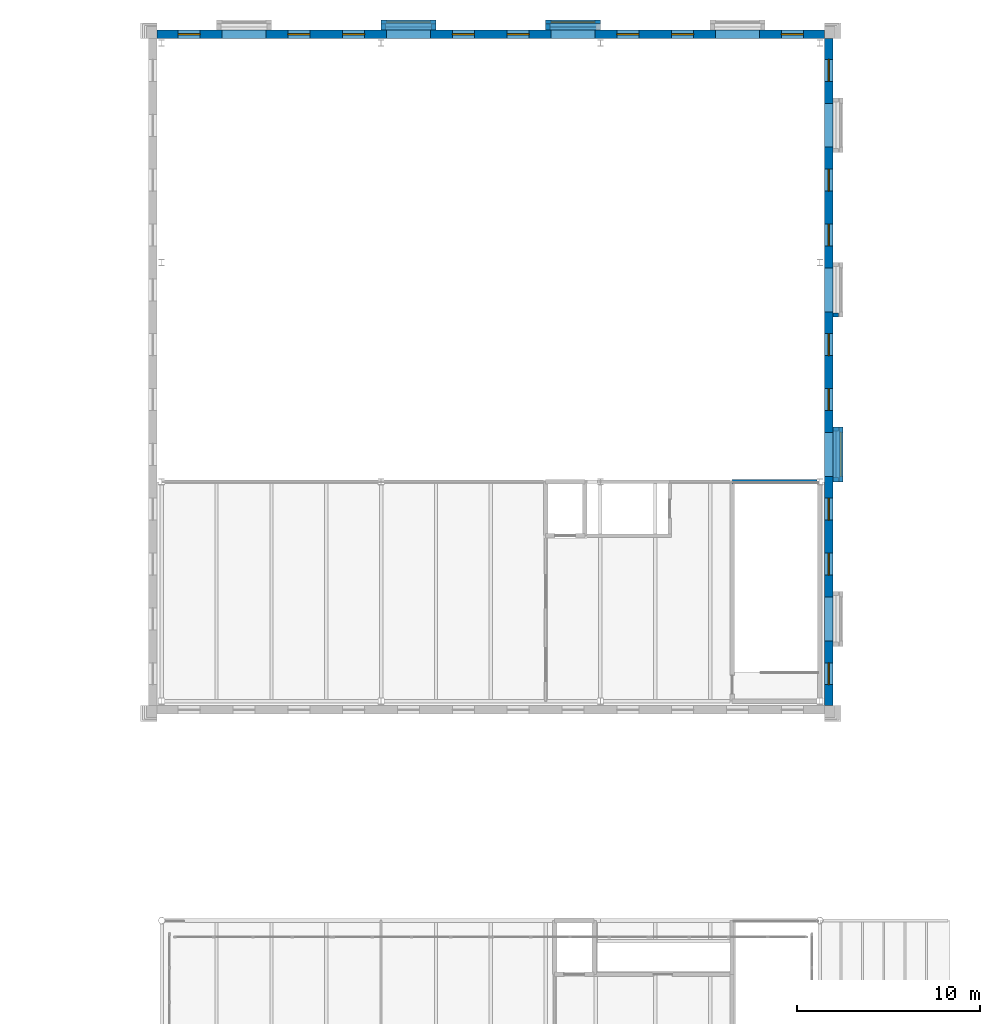
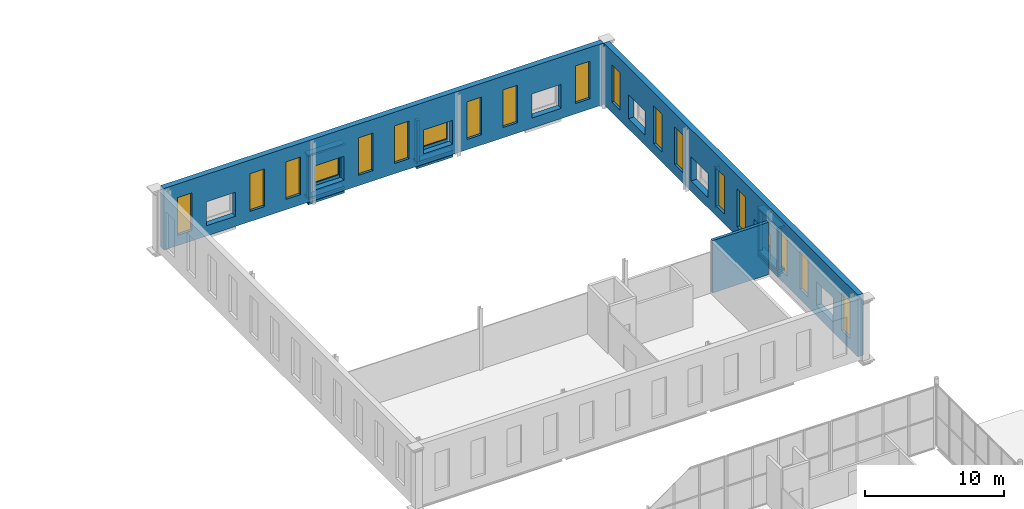
# One storey, part 118 of 170: 23 walls, 19 windows, 27 openings.
"""IFC4 building model written with IfcOpenShell, lengths in metres."""

from ifc_helpers import new_model, si_unit, direction, frame, frame_2d, origin, place, context, subcontext, project, spatial, rectangle, extrude, material, layer, layer_set, type_object, element, fill, save


model = new_model("IFC4")

# Units and contexts
model_context = context("Model", 3, precision=1e-05, world=origin(), true_north=direction((0.0, 1.0)))
body_context = subcontext(model_context, "Body", "Model", "MODEL_VIEW")
ifc_project = project(units=[si_unit("LENGTHUNIT", "METRE"), si_unit("AREAUNIT", "SQUARE_METRE"), si_unit("VOLUMEUNIT", "CUBIC_METRE"), si_unit("PLANEANGLEUNIT", "RADIAN"), si_unit("MASSUNIT", "GRAM", prefix="KILO")], contexts=[model_context])

# Site, building, storey
site_placement = place(None, origin())
site = spatial("IfcSite", under=ifc_project, at=site_placement, CompositionType="ELEMENT")
building_placement = place(site_placement, origin())
building = spatial("IfcBuilding", under=site, at=building_placement, Name="Ravi Spectrum Wholesale Market", CompositionType="ELEMENT")
storey_placement = place(building_placement, frame((0.0, 0.0, 5.39990234375)))
storey = spatial("IfcBuildingStorey", under=building, at=storey_placement, Name="L01", CompositionType="ELEMENT", Elevation=5.39990234375)

# Wall, openings, windows
ifc_material_1 = material(Name="Clinker brickwork", Category="masonry")
ifc_layer_1 = layer(ifc_material_1, 0.4599609375)
ifc_layer_set_1 = layer_set([ifc_layer_1], Name="Clinker brickwork")
wall_type_1 = type_object("IfcWallType", Name="Brick 460 pier wall", PredefinedType="SOLIDWALL", material=ifc_layer_set_1)
wall_1_placement = place(storey_placement, frame((198.47998046875, 197.75, 0.0), z_axis=(0.0, 0.0, 1.0), x_axis=(0.0, 1.0, 0.0)))
wall_1 = element("IfcWall", 1, at=wall_1_placement, inside=storey, type_object=wall_type_1, Name="AU-WL-L01-034", PredefinedType="SOLIDWALL", context=body_context, shape_type="SweptSolid", body=[
    extrude(rectangle(XDim=36.5, YDim=0.4599609375, at=frame_2d((18.25, 0.0))), origin(), (0.0, 0.0, 1.0), 5.400146484375),
])
opening_1_placement = place(wall_1_placement, frame((1.14990234375, 0.0, 0.89990234375)))
opening_1 = element("IfcOpeningElement", 2, at=opening_1_placement, cuts=wall_1, Name="Opening W2445", PredefinedType="OPENING", context=body_context, shape_type="SweptSolid", body=[
    extrude(rectangle(XDim=1.199951171875, YDim=3.300048828125, at=frame_2d((0.60009765625, 1.64990234375))), frame((0.0, 0.239990234375, 0.0), z_axis=(0.0, -1.0, 0.0), x_axis=(1.0, 0.0, 0.0)), (0.0, 0.0, 1.0), 0.47998046875),
])
opening_2_placement = place(wall_1_placement, frame((3.550048828125, 0.0, 0.89990234375)))
element("IfcOpeningElement", 3, at=opening_2_placement, cuts=wall_1, Name="Opening AU-OP-L01-001", PredefinedType="OPENING", context=body_context, shape_type="SweptSolid", body=[
    extrude(rectangle(XDim=2.39990234375, YDim=2.10009765625, at=frame_2d((1.199951171875, 1.050048828125))), frame((0.0, 0.239990234375, 0.0), z_axis=(0.0, -1.0, 0.0), x_axis=(1.0, 0.0, 0.0)), (0.0, 0.0, 1.0), 0.47998046875),
])
opening_3_placement = place(wall_1_placement, frame((7.14990234375, 0.0, 0.89990234375)))
opening_3 = element("IfcOpeningElement", 4, at=opening_3_placement, cuts=wall_1, Name="Opening W2447", PredefinedType="OPENING", context=body_context, shape_type="SweptSolid", body=[
    extrude(rectangle(XDim=1.199951171875, YDim=3.300048828125, at=frame_2d((0.60009765625, 1.64990234375))), frame((0.0, 0.239990234375, 0.0), z_axis=(0.0, -1.0, 0.0), x_axis=(1.0, 0.0, 0.0)), (0.0, 0.0, 1.0), 0.47998046875),
])
opening_4_placement = place(wall_1_placement, frame((10.14990234375, 0.0, 0.89990234375)))
opening_4 = element("IfcOpeningElement", 5, at=opening_4_placement, cuts=wall_1, Name="Opening W2448", PredefinedType="OPENING", context=body_context, shape_type="SweptSolid", body=[
    extrude(rectangle(XDim=1.199951171875, YDim=3.300048828125, at=frame_2d((0.60009765625, 1.64990234375))), frame((0.0, 0.239990234375, 0.0), z_axis=(0.0, -1.0, 0.0), x_axis=(1.0, 0.0, 0.0)), (0.0, 0.0, 1.0), 0.47998046875),
])
opening_5_placement = place(wall_1_placement, frame((12.550048828125, 0.0, 0.89990234375)))
element("IfcOpeningElement", 6, at=opening_5_placement, cuts=wall_1, Name="Opening AU-OP-L01-002", PredefinedType="OPENING", context=body_context, shape_type="SweptSolid", body=[
    extrude(rectangle(XDim=2.39990234375, YDim=2.10009765625, at=frame_2d((1.199951171875, 1.050048828125))), frame((0.0, 0.239990234375, 0.0), z_axis=(0.0, -1.0, 0.0), x_axis=(1.0, 0.0, 0.0)), (0.0, 0.0, 1.0), 0.47998046875),
])
opening_6_placement = place(wall_1_placement, frame((16.14990234375, 0.0, 0.89990234375)))
opening_6 = element("IfcOpeningElement", 7, at=opening_6_placement, cuts=wall_1, Name="Opening W2450", PredefinedType="OPENING", context=body_context, shape_type="SweptSolid", body=[
    extrude(rectangle(XDim=1.199951171875, YDim=3.300048828125, at=frame_2d((0.60009765625, 1.64990234375))), frame((0.0, 0.239990234375, 0.0), z_axis=(0.0, -1.0, 0.0), x_axis=(1.0, 0.0, 0.0)), (0.0, 0.0, 1.0), 0.47998046875),
])
opening_7_placement = place(wall_1_placement, frame((19.14990234375, 0.0, 0.89990234375)))
opening_7 = element("IfcOpeningElement", 8, at=opening_7_placement, cuts=wall_1, Name="Opening W2451", PredefinedType="OPENING", context=body_context, shape_type="SweptSolid", body=[
    extrude(rectangle(XDim=1.199951171875, YDim=3.300048828125, at=frame_2d((0.60009765625, 1.64990234375))), frame((0.0, 0.239990234375, 0.0), z_axis=(0.0, -1.0, 0.0), x_axis=(1.0, 0.0, 0.0)), (0.0, 0.0, 1.0), 0.47998046875),
])
opening_8_placement = place(wall_1_placement, frame((21.550048828125, 0.0, 0.89990234375)))
element("IfcOpeningElement", 9, at=opening_8_placement, cuts=wall_1, Name="Opening AU-OP-L01-003", PredefinedType="OPENING", context=body_context, shape_type="SweptSolid", body=[
    extrude(rectangle(XDim=2.39990234375, YDim=2.10009765625, at=frame_2d((1.199951171875, 1.050048828125))), frame((0.0, 0.239990234375, 0.0), z_axis=(0.0, -1.0, 0.0), x_axis=(1.0, 0.0, 0.0)), (0.0, 0.0, 1.0), 0.47998046875),
])
opening_9_placement = place(wall_1_placement, frame((25.14990234375, 0.0, 0.89990234375)))
opening_9 = element("IfcOpeningElement", 10, at=opening_9_placement, cuts=wall_1, Name="Opening W2453", PredefinedType="OPENING", context=body_context, shape_type="SweptSolid", body=[
    extrude(rectangle(XDim=1.199951171875, YDim=3.300048828125, at=frame_2d((0.60009765625, 1.64990234375))), frame((0.0, 0.239990234375, 0.0), z_axis=(0.0, -1.0, 0.0), x_axis=(1.0, 0.0, 0.0)), (0.0, 0.0, 1.0), 0.47998046875),
])
opening_10_placement = place(wall_1_placement, frame((28.14990234375, 0.0, 0.89990234375)))
opening_10 = element("IfcOpeningElement", 11, at=opening_10_placement, cuts=wall_1, Name="Opening W2454", PredefinedType="OPENING", context=body_context, shape_type="SweptSolid", body=[
    extrude(rectangle(XDim=1.199951171875, YDim=3.300048828125, at=frame_2d((0.60009765625, 1.64990234375))), frame((0.0, 0.239990234375, 0.0), z_axis=(0.0, -1.0, 0.0), x_axis=(1.0, 0.0, 0.0)), (0.0, 0.0, 1.0), 0.47998046875),
])
opening_11_placement = place(wall_1_placement, frame((30.550048828125, 0.0, 0.89990234375)))
element("IfcOpeningElement", 12, at=opening_11_placement, cuts=wall_1, Name="Opening AU-OP-L01-004", PredefinedType="OPENING", context=body_context, shape_type="SweptSolid", body=[
    extrude(rectangle(XDim=2.39990234375, YDim=2.10009765625, at=frame_2d((1.199951171875, 1.050048828125))), frame((0.0, 0.239990234375, 0.0), z_axis=(0.0, -1.0, 0.0), x_axis=(1.0, 0.0, 0.0)), (0.0, 0.0, 1.0), 0.47998046875),
])
opening_12_placement = place(wall_1_placement, frame((34.14990234375, 0.0, 0.89990234375)))
opening_12 = element("IfcOpeningElement", 13, at=opening_12_placement, cuts=wall_1, Name="Opening W2456", PredefinedType="OPENING", context=body_context, shape_type="SweptSolid", body=[
    extrude(rectangle(XDim=1.199951171875, YDim=3.300048828125, at=frame_2d((0.60009765625, 1.64990234375))), frame((0.0, 0.239990234375, 0.0), z_axis=(0.0, -1.0, 0.0), x_axis=(1.0, 0.0, 0.0)), (0.0, 0.0, 1.0), 0.47998046875),
])
ifc_material_2 = material(Name="Steel window frame", Category="steel")
window_type_1 = type_object("IfcWindowType", Name="Tall pier window 1200 x 3300", PartitioningType="SINGLE_PANEL", PredefinedType="WINDOW", material=ifc_material_2)
window_1_placement = place(opening_1_placement, origin())
window_1 = element("IfcWindow", 14, at=window_1_placement, inside=storey, type_object=window_type_1, Name="Window W2445", OverallHeight=3.300048828125, OverallWidth=1.199951171875, PartitioningType="SINGLE_PANEL", PredefinedType="WINDOW", context=body_context, shape_type="SweptSolid", body=[
    extrude(rectangle(XDim=1.199951171875, YDim=3.300048828125, at=frame_2d((0.60009765625, 1.64990234375))), frame((0.0, 0.030029296875, 0.0), z_axis=(0.0, -1.0, 0.0), x_axis=(1.0, 0.0, 0.0)), (0.0, 0.0, 1.0), 0.06005859375),
])
fill(opening_1, window_1)
window_2_placement = place(opening_3_placement, origin())
window_2 = element("IfcWindow", 15, at=window_2_placement, inside=storey, type_object=window_type_1, Name="Window W2447", OverallHeight=3.300048828125, OverallWidth=1.199951171875, PartitioningType="SINGLE_PANEL", PredefinedType="WINDOW", context=body_context, shape_type="SweptSolid", body=[
    extrude(rectangle(XDim=1.199951171875, YDim=3.300048828125, at=frame_2d((0.60009765625, 1.64990234375))), frame((0.0, 0.030029296875, 0.0), z_axis=(0.0, -1.0, 0.0), x_axis=(1.0, 0.0, 0.0)), (0.0, 0.0, 1.0), 0.06005859375),
])
fill(opening_3, window_2)
window_3_placement = place(opening_4_placement, origin())
window_3 = element("IfcWindow", 16, at=window_3_placement, inside=storey, type_object=window_type_1, Name="Window W2448", OverallHeight=3.300048828125, OverallWidth=1.199951171875, PartitioningType="SINGLE_PANEL", PredefinedType="WINDOW", context=body_context, shape_type="SweptSolid", body=[
    extrude(rectangle(XDim=1.199951171875, YDim=3.300048828125, at=frame_2d((0.60009765625, 1.64990234375))), frame((0.0, 0.030029296875, 0.0), z_axis=(0.0, -1.0, 0.0), x_axis=(1.0, 0.0, 0.0)), (0.0, 0.0, 1.0), 0.06005859375),
])
fill(opening_4, window_3)
window_4_placement = place(opening_6_placement, origin())
window_4 = element("IfcWindow", 17, at=window_4_placement, inside=storey, type_object=window_type_1, Name="Window W2450", OverallHeight=3.300048828125, OverallWidth=1.199951171875, PartitioningType="SINGLE_PANEL", PredefinedType="WINDOW", context=body_context, shape_type="SweptSolid", body=[
    extrude(rectangle(XDim=1.199951171875, YDim=3.300048828125, at=frame_2d((0.60009765625, 1.64990234375))), frame((0.0, 0.030029296875, 0.0), z_axis=(0.0, -1.0, 0.0), x_axis=(1.0, 0.0, 0.0)), (0.0, 0.0, 1.0), 0.06005859375),
])
fill(opening_6, window_4)
window_5_placement = place(opening_7_placement, origin())
window_5 = element("IfcWindow", 18, at=window_5_placement, inside=storey, type_object=window_type_1, Name="Window W2451", OverallHeight=3.300048828125, OverallWidth=1.199951171875, PartitioningType="SINGLE_PANEL", PredefinedType="WINDOW", context=body_context, shape_type="SweptSolid", body=[
    extrude(rectangle(XDim=1.199951171875, YDim=3.300048828125, at=frame_2d((0.60009765625, 1.64990234375))), frame((0.0, 0.030029296875, 0.0), z_axis=(0.0, -1.0, 0.0), x_axis=(1.0, 0.0, 0.0)), (0.0, 0.0, 1.0), 0.06005859375),
])
fill(opening_7, window_5)
window_6_placement = place(opening_9_placement, origin())
window_6 = element("IfcWindow", 19, at=window_6_placement, inside=storey, type_object=window_type_1, Name="Window W2453", OverallHeight=3.300048828125, OverallWidth=1.199951171875, PartitioningType="SINGLE_PANEL", PredefinedType="WINDOW", context=body_context, shape_type="SweptSolid", body=[
    extrude(rectangle(XDim=1.199951171875, YDim=3.300048828125, at=frame_2d((0.60009765625, 1.64990234375))), frame((0.0, 0.030029296875, 0.0), z_axis=(0.0, -1.0, 0.0), x_axis=(1.0, 0.0, 0.0)), (0.0, 0.0, 1.0), 0.06005859375),
])
fill(opening_9, window_6)
window_7_placement = place(opening_10_placement, origin())
window_7 = element("IfcWindow", 20, at=window_7_placement, inside=storey, type_object=window_type_1, Name="Window W2454", OverallHeight=3.300048828125, OverallWidth=1.199951171875, PartitioningType="SINGLE_PANEL", PredefinedType="WINDOW", context=body_context, shape_type="SweptSolid", body=[
    extrude(rectangle(XDim=1.199951171875, YDim=3.300048828125, at=frame_2d((0.60009765625, 1.64990234375))), frame((0.0, 0.030029296875, 0.0), z_axis=(0.0, -1.0, 0.0), x_axis=(1.0, 0.0, 0.0)), (0.0, 0.0, 1.0), 0.06005859375),
])
fill(opening_10, window_7)
window_8_placement = place(opening_12_placement, origin())
window_8 = element("IfcWindow", 21, at=window_8_placement, inside=storey, type_object=window_type_1, Name="Window W2456", OverallHeight=3.300048828125, OverallWidth=1.199951171875, PartitioningType="SINGLE_PANEL", PredefinedType="WINDOW", context=body_context, shape_type="SweptSolid", body=[
    extrude(rectangle(XDim=1.199951171875, YDim=3.300048828125, at=frame_2d((0.60009765625, 1.64990234375))), frame((0.0, 0.030029296875, 0.0), z_axis=(0.0, -1.0, 0.0), x_axis=(1.0, 0.0, 0.0)), (0.0, 0.0, 1.0), 0.06005859375),
])
fill(opening_12, window_8)

wall_2_placement = place(storey_placement, frame((198.25, 234.47998046875, 0.0), z_axis=(0.0, 0.0, 1.0), x_axis=(-1.0, 0.0, 0.0)))
wall_2 = element("IfcWall", 22, at=wall_2_placement, inside=storey, type_object=wall_type_1, Name="AU-WL-L01-063", PredefinedType="SOLIDWALL", context=body_context, shape_type="SweptSolid", body=[
    extrude(rectangle(XDim=36.5, YDim=0.4599609375, at=frame_2d((18.25, 0.0))), origin(), (0.0, 0.0, 1.0), 5.400146484375),
])
opening_13_placement = place(wall_2_placement, frame((1.14990234375, 0.0, 0.89990234375)))
opening_13 = element("IfcOpeningElement", 23, at=opening_13_placement, cuts=wall_2, Name="Opening W2457", PredefinedType="OPENING", context=body_context, shape_type="SweptSolid", body=[
    extrude(rectangle(XDim=1.199951171875, YDim=3.300048828125, at=frame_2d((0.60009765625, 1.64990234375))), frame((0.0, 0.239990234375, 0.0), z_axis=(0.0, -1.0, 0.0), x_axis=(1.0, 0.0, 0.0)), (0.0, 0.0, 1.0), 0.47998046875),
])
opening_14_placement = place(wall_2_placement, frame((3.550048828125, 0.0, 0.89990234375)))
element("IfcOpeningElement", 24, at=opening_14_placement, cuts=wall_2, Name="Opening AU-OP-L01-005", PredefinedType="OPENING", context=body_context, shape_type="SweptSolid", body=[
    extrude(rectangle(XDim=2.39990234375, YDim=2.10009765625, at=frame_2d((1.199951171875, 1.050048828125))), frame((0.0, 0.239990234375, 0.0), z_axis=(0.0, -1.0, 0.0), x_axis=(1.0, 0.0, 0.0)), (0.0, 0.0, 1.0), 0.47998046875),
])
opening_15_placement = place(wall_2_placement, frame((7.14990234375, 0.0, 0.89990234375)))
opening_15 = element("IfcOpeningElement", 25, at=opening_15_placement, cuts=wall_2, Name="Opening W2459", PredefinedType="OPENING", context=body_context, shape_type="SweptSolid", body=[
    extrude(rectangle(XDim=1.199951171875, YDim=3.300048828125, at=frame_2d((0.60009765625, 1.64990234375))), frame((0.0, 0.239990234375, 0.0), z_axis=(0.0, -1.0, 0.0), x_axis=(1.0, 0.0, 0.0)), (0.0, 0.0, 1.0), 0.47998046875),
])
opening_16_placement = place(wall_2_placement, frame((10.14990234375, 0.0, 0.89990234375)))
opening_16 = element("IfcOpeningElement", 26, at=opening_16_placement, cuts=wall_2, Name="Opening W2460", PredefinedType="OPENING", context=body_context, shape_type="SweptSolid", body=[
    extrude(rectangle(XDim=1.199951171875, YDim=3.300048828125, at=frame_2d((0.60009765625, 1.64990234375))), frame((0.0, 0.239990234375, 0.0), z_axis=(0.0, -1.0, 0.0), x_axis=(1.0, 0.0, 0.0)), (0.0, 0.0, 1.0), 0.47998046875),
])
opening_17_placement = place(wall_2_placement, frame((12.550048828125, 0.0, 0.89990234375)))
element("IfcOpeningElement", 27, at=opening_17_placement, cuts=wall_2, Name="Opening AU-OP-L01-006", PredefinedType="OPENING", context=body_context, shape_type="SweptSolid", body=[
    extrude(rectangle(XDim=2.39990234375, YDim=2.10009765625, at=frame_2d((1.199951171875, 1.050048828125))), frame((0.0, 0.239990234375, 0.0), z_axis=(0.0, -1.0, 0.0), x_axis=(1.0, 0.0, 0.0)), (0.0, 0.0, 1.0), 0.47998046875),
])
opening_18_placement = place(wall_2_placement, frame((16.14990234375, 0.0, 0.89990234375)))
opening_18 = element("IfcOpeningElement", 28, at=opening_18_placement, cuts=wall_2, Name="Opening W2462", PredefinedType="OPENING", context=body_context, shape_type="SweptSolid", body=[
    extrude(rectangle(XDim=1.199951171875, YDim=3.300048828125, at=frame_2d((0.60009765625, 1.64990234375))), frame((0.0, 0.239990234375, 0.0), z_axis=(0.0, -1.0, 0.0), x_axis=(1.0, 0.0, 0.0)), (0.0, 0.0, 1.0), 0.47998046875),
])
opening_19_placement = place(wall_2_placement, frame((19.14990234375, 0.0, 0.89990234375)))
opening_19 = element("IfcOpeningElement", 29, at=opening_19_placement, cuts=wall_2, Name="Opening W2463", PredefinedType="OPENING", context=body_context, shape_type="SweptSolid", body=[
    extrude(rectangle(XDim=1.199951171875, YDim=3.300048828125, at=frame_2d((0.60009765625, 1.64990234375))), frame((0.0, 0.239990234375, 0.0), z_axis=(0.0, -1.0, 0.0), x_axis=(1.0, 0.0, 0.0)), (0.0, 0.0, 1.0), 0.47998046875),
])
opening_20_placement = place(wall_2_placement, frame((21.550048828125, 0.0, 0.89990234375)))
element("IfcOpeningElement", 30, at=opening_20_placement, cuts=wall_2, Name="Opening AU-OP-L01-007", PredefinedType="OPENING", context=body_context, shape_type="SweptSolid", body=[
    extrude(rectangle(XDim=2.39990234375, YDim=2.10009765625, at=frame_2d((1.199951171875, 1.050048828125))), frame((0.0, 0.239990234375, 0.0), z_axis=(0.0, -1.0, 0.0), x_axis=(1.0, 0.0, 0.0)), (0.0, 0.0, 1.0), 0.47998046875),
])
opening_21_placement = place(wall_2_placement, frame((25.14990234375, 0.0, 0.89990234375)))
opening_21 = element("IfcOpeningElement", 31, at=opening_21_placement, cuts=wall_2, Name="Opening W2465", PredefinedType="OPENING", context=body_context, shape_type="SweptSolid", body=[
    extrude(rectangle(XDim=1.199951171875, YDim=3.300048828125, at=frame_2d((0.60009765625, 1.64990234375))), frame((0.0, 0.239990234375, 0.0), z_axis=(0.0, -1.0, 0.0), x_axis=(1.0, 0.0, 0.0)), (0.0, 0.0, 1.0), 0.47998046875),
])
opening_22_placement = place(wall_2_placement, frame((28.14990234375, 0.0, 0.89990234375)))
opening_22 = element("IfcOpeningElement", 32, at=opening_22_placement, cuts=wall_2, Name="Opening W2466", PredefinedType="OPENING", context=body_context, shape_type="SweptSolid", body=[
    extrude(rectangle(XDim=1.199951171875, YDim=3.300048828125, at=frame_2d((0.60009765625, 1.64990234375))), frame((0.0, 0.239990234375, 0.0), z_axis=(0.0, -1.0, 0.0), x_axis=(1.0, 0.0, 0.0)), (0.0, 0.0, 1.0), 0.47998046875),
])
opening_23_placement = place(wall_2_placement, frame((30.550048828125, 0.0, 0.89990234375)))
element("IfcOpeningElement", 33, at=opening_23_placement, cuts=wall_2, Name="Opening AU-OP-L01-008", PredefinedType="OPENING", context=body_context, shape_type="SweptSolid", body=[
    extrude(rectangle(XDim=2.39990234375, YDim=2.10009765625, at=frame_2d((1.199951171875, 1.050048828125))), frame((0.0, 0.239990234375, 0.0), z_axis=(0.0, -1.0, 0.0), x_axis=(1.0, 0.0, 0.0)), (0.0, 0.0, 1.0), 0.47998046875),
])
opening_24_placement = place(wall_2_placement, frame((34.14990234375, 0.0, 0.89990234375)))
opening_24 = element("IfcOpeningElement", 34, at=opening_24_placement, cuts=wall_2, Name="Opening W2468", PredefinedType="OPENING", context=body_context, shape_type="SweptSolid", body=[
    extrude(rectangle(XDim=1.199951171875, YDim=3.300048828125, at=frame_2d((0.60009765625, 1.64990234375))), frame((0.0, 0.239990234375, 0.0), z_axis=(0.0, -1.0, 0.0), x_axis=(1.0, 0.0, 0.0)), (0.0, 0.0, 1.0), 0.47998046875),
])
window_9_placement = place(opening_13_placement, origin())
window_9 = element("IfcWindow", 35, at=window_9_placement, inside=storey, type_object=window_type_1, Name="Window W2457", OverallHeight=3.300048828125, OverallWidth=1.199951171875, PartitioningType="SINGLE_PANEL", PredefinedType="WINDOW", context=body_context, shape_type="SweptSolid", body=[
    extrude(rectangle(XDim=1.199951171875, YDim=3.300048828125, at=frame_2d((0.60009765625, 1.64990234375))), frame((0.0, 0.030029296875, 0.0), z_axis=(0.0, -1.0, 0.0), x_axis=(1.0, 0.0, 0.0)), (0.0, 0.0, 1.0), 0.06005859375),
])
fill(opening_13, window_9)
window_10_placement = place(opening_15_placement, origin())
window_10 = element("IfcWindow", 36, at=window_10_placement, inside=storey, type_object=window_type_1, Name="Window W2459", OverallHeight=3.300048828125, OverallWidth=1.199951171875, PartitioningType="SINGLE_PANEL", PredefinedType="WINDOW", context=body_context, shape_type="SweptSolid", body=[
    extrude(rectangle(XDim=1.199951171875, YDim=3.300048828125, at=frame_2d((0.60009765625, 1.64990234375))), frame((0.0, 0.030029296875, 0.0), z_axis=(0.0, -1.0, 0.0), x_axis=(1.0, 0.0, 0.0)), (0.0, 0.0, 1.0), 0.06005859375),
])
fill(opening_15, window_10)
window_11_placement = place(opening_16_placement, origin())
window_11 = element("IfcWindow", 37, at=window_11_placement, inside=storey, type_object=window_type_1, Name="Window W2460", OverallHeight=3.300048828125, OverallWidth=1.199951171875, PartitioningType="SINGLE_PANEL", PredefinedType="WINDOW", context=body_context, shape_type="SweptSolid", body=[
    extrude(rectangle(XDim=1.199951171875, YDim=3.300048828125, at=frame_2d((0.60009765625, 1.64990234375))), frame((0.0, 0.030029296875, 0.0), z_axis=(0.0, -1.0, 0.0), x_axis=(1.0, 0.0, 0.0)), (0.0, 0.0, 1.0), 0.06005859375),
])
fill(opening_16, window_11)
window_12_placement = place(opening_18_placement, origin())
window_12 = element("IfcWindow", 38, at=window_12_placement, inside=storey, type_object=window_type_1, Name="Window W2462", OverallHeight=3.300048828125, OverallWidth=1.199951171875, PartitioningType="SINGLE_PANEL", PredefinedType="WINDOW", context=body_context, shape_type="SweptSolid", body=[
    extrude(rectangle(XDim=1.199951171875, YDim=3.300048828125, at=frame_2d((0.60009765625, 1.64990234375))), frame((0.0, 0.030029296875, 0.0), z_axis=(0.0, -1.0, 0.0), x_axis=(1.0, 0.0, 0.0)), (0.0, 0.0, 1.0), 0.06005859375),
])
fill(opening_18, window_12)
window_13_placement = place(opening_19_placement, origin())
window_13 = element("IfcWindow", 39, at=window_13_placement, inside=storey, type_object=window_type_1, Name="Window W2463", OverallHeight=3.300048828125, OverallWidth=1.199951171875, PartitioningType="SINGLE_PANEL", PredefinedType="WINDOW", context=body_context, shape_type="SweptSolid", body=[
    extrude(rectangle(XDim=1.199951171875, YDim=3.300048828125, at=frame_2d((0.60009765625, 1.64990234375))), frame((0.0, 0.030029296875, 0.0), z_axis=(0.0, -1.0, 0.0), x_axis=(1.0, 0.0, 0.0)), (0.0, 0.0, 1.0), 0.06005859375),
])
fill(opening_19, window_13)
window_14_placement = place(opening_21_placement, origin())
window_14 = element("IfcWindow", 40, at=window_14_placement, inside=storey, type_object=window_type_1, Name="Window W2465", OverallHeight=3.300048828125, OverallWidth=1.199951171875, PartitioningType="SINGLE_PANEL", PredefinedType="WINDOW", context=body_context, shape_type="SweptSolid", body=[
    extrude(rectangle(XDim=1.199951171875, YDim=3.300048828125, at=frame_2d((0.60009765625, 1.64990234375))), frame((0.0, 0.030029296875, 0.0), z_axis=(0.0, -1.0, 0.0), x_axis=(1.0, 0.0, 0.0)), (0.0, 0.0, 1.0), 0.06005859375),
])
fill(opening_21, window_14)
window_15_placement = place(opening_22_placement, origin())
window_15 = element("IfcWindow", 41, at=window_15_placement, inside=storey, type_object=window_type_1, Name="Window W2466", OverallHeight=3.300048828125, OverallWidth=1.199951171875, PartitioningType="SINGLE_PANEL", PredefinedType="WINDOW", context=body_context, shape_type="SweptSolid", body=[
    extrude(rectangle(XDim=1.199951171875, YDim=3.300048828125, at=frame_2d((0.60009765625, 1.64990234375))), frame((0.0, 0.030029296875, 0.0), z_axis=(0.0, -1.0, 0.0), x_axis=(1.0, 0.0, 0.0)), (0.0, 0.0, 1.0), 0.06005859375),
])
fill(opening_22, window_15)
window_16_placement = place(opening_24_placement, origin())
window_16 = element("IfcWindow", 42, at=window_16_placement, inside=storey, type_object=window_type_1, Name="Window W2468", OverallHeight=3.300048828125, OverallWidth=1.199951171875, PartitioningType="SINGLE_PANEL", PredefinedType="WINDOW", context=body_context, shape_type="SweptSolid", body=[
    extrude(rectangle(XDim=1.199951171875, YDim=3.300048828125, at=frame_2d((0.60009765625, 1.64990234375))), frame((0.0, 0.030029296875, 0.0), z_axis=(0.0, -1.0, 0.0), x_axis=(1.0, 0.0, 0.0)), (0.0, 0.0, 1.0), 0.06005859375),
])
fill(opening_24, window_16)

# Walls
ifc_material_3 = material(Name="Clinker brickwork", Category="masonry")
ifc_layer_2 = layer(ifc_material_3, 0.179931640625)
ifc_layer_set_2 = layer_set([ifc_layer_2], Name="Clinker brickwork")
wall_type_2 = type_object("IfcWallType", Name="Brick corbel block 180", PredefinedType="SOLIDWALL", material=ifc_layer_set_2)
for number, where, z_axis, x_axis, name in (
    (43, (198.800048828125, 210.0, -0.599853515625), (0.0, 0.0, 1.0), (0.0, 1.0, 0.0), "AU-WL-L01-042"),
    (44, (186.0, 234.800048828125, -0.599853515625), (0.0, 0.0, 1.0), (-1.0, 0.0, 0.0), "AU-WL-L01-071"),
    (45, (177.0, 234.800048828125, -0.599853515625), (0.0, 0.0, 1.0), (-1.0, 0.0, 0.0), "AU-WL-L01-078"),
):
    element("IfcWall", number, at=place(storey_placement, frame(where, z_axis=z_axis, x_axis=x_axis)), inside=storey, type_object=wall_type_2, Name=name, PredefinedType="SOLIDWALL", context=body_context, shape_type="SweptSolid", body=[
        extrude(rectangle(XDim=3.0, YDim=0.179931640625, at=frame_2d((1.5, 0.0))), origin(), (0.0, 0.0, 1.0), 0.199951171875),
    ])
ifc_material_4 = material(Name="Clinker brickwork", Category="masonry")
ifc_layer_3 = layer(ifc_material_4, 0.3701171875)
ifc_layer_set_3 = layer_set([ifc_layer_3], Name="Clinker brickwork")
wall_type_3 = type_object("IfcWallType", Name="Brick corbel block 370", PredefinedType="SOLIDWALL", material=ifc_layer_set_3)
for number, where, z_axis, x_axis, name in (
    (46, (198.89501953125, 210.0, -0.39990234375), (0.0, 0.0, 1.0), (0.0, 1.0, 0.0), "AU-WL-L01-043"),
    (47, (186.0, 234.89501953125, -0.39990234375), (0.0, 0.0, 1.0), (-1.0, 0.0, 0.0), "AU-WL-L01-072"),
    (48, (177.0, 234.89501953125, -0.39990234375), (0.0, 0.0, 1.0), (-1.0, 0.0, 0.0), "AU-WL-L01-079"),
):
    element("IfcWall", number, at=place(storey_placement, frame(where, z_axis=z_axis, x_axis=x_axis)), inside=storey, type_object=wall_type_3, Name=name, PredefinedType="SOLIDWALL", context=body_context, shape_type="SweptSolid", body=[
        extrude(rectangle(XDim=3.0, YDim=0.3701171875, at=frame_2d((1.5, 0.0))), origin(), (0.0, 0.0, 1.0), 0.199951171875),
    ])
ifc_material_5 = material(Name="Clinker brickwork", Category="masonry")
ifc_layer_4 = layer(ifc_material_5, 0.550048828125)
ifc_layer_set_4 = layer_set([ifc_layer_4], Name="Clinker brickwork")
wall_type_4 = type_object("IfcWallType", Name="Brick corbel block 550", PredefinedType="SOLIDWALL", material=ifc_layer_set_4)
for number, where, z_axis, x_axis, name in (
    (49, (198.985107421875, 210.0, -0.199951171875), (0.0, 0.0, 1.0), (0.0, 1.0, 0.0), "AU-WL-L01-044"),
    (50, (186.0, 234.985107421875, -0.199951171875), (0.0, 0.0, 1.0), (-1.0, 0.0, 0.0), "AU-WL-L01-073"),
    (51, (177.0, 234.985107421875, -0.199951171875), (0.0, 0.0, 1.0), (-1.0, 0.0, 0.0), "AU-WL-L01-080"),
):
    element("IfcWall", number, at=place(storey_placement, frame(where, z_axis=z_axis, x_axis=x_axis)), inside=storey, type_object=wall_type_4, Name=name, PredefinedType="SOLIDWALL", context=body_context, shape_type="SweptSolid", body=[
        extrude(rectangle(XDim=3.0, YDim=0.550048828125, at=frame_2d((1.5, 0.0))), origin(), (0.0, 0.0, 1.0), 0.199951171875),
    ])

# Wall, opening, window
ifc_material_6 = material(Name="Facing brickwork", Category="masonry")
ifc_layer_5 = layer(ifc_material_6, 0.22998046875)
ifc_layer_set_5 = layer_set([ifc_layer_5], Name="Facing brickwork")
wall_type_5 = type_object("IfcWallType", Name="Brick oriel 230", PredefinedType="SOLIDWALL", material=ifc_layer_set_5)
wall_3_placement = place(storey_placement, frame((199.14501953125, 210.0, 0.0), z_axis=(0.0, 0.0, 1.0), x_axis=(0.0, 1.0, 0.0)))
wall_3 = element("IfcWall", 52, at=wall_3_placement, inside=storey, type_object=wall_type_5, Name="AU-WL-L01-045", PredefinedType="SOLIDWALL", context=body_context, shape_type="SweptSolid", body=[
    extrude(rectangle(XDim=3.0, YDim=0.22998046875, at=frame_2d((1.5, 0.0))), origin(), (0.0, 0.0, 1.0), 3.60009765625),
])
opening_25_placement = place(wall_3_placement, frame((0.300048828125, 0.0, 0.89990234375)))
opening_25 = element("IfcOpeningElement", 53, at=opening_25_placement, cuts=wall_3, Name="Opening W2449", PredefinedType="OPENING", context=body_context, shape_type="SweptSolid", body=[
    extrude(rectangle(XDim=2.39990234375, YDim=2.10009765625, at=frame_2d((1.199951171875, 1.050048828125))), frame((0.0, 0.125, 0.0), z_axis=(0.0, -1.0, 0.0), x_axis=(1.0, 0.0, 0.0)), (0.0, 0.0, 1.0), 0.25),
])
ifc_material_7 = material(Name="Steel window frame", Category="steel")
window_type_2 = type_object("IfcWindowType", Name="Oriel window 2400 x 2100", PartitioningType="SINGLE_PANEL", PredefinedType="WINDOW", material=ifc_material_7)
window_17_placement = place(opening_25_placement, origin())
window_17 = element("IfcWindow", 54, at=window_17_placement, inside=storey, type_object=window_type_2, Name="Window W2449", OverallHeight=2.10009765625, OverallWidth=2.39990234375, PartitioningType="SINGLE_PANEL", PredefinedType="WINDOW", context=body_context, shape_type="SweptSolid", body=[
    extrude(rectangle(XDim=2.39990234375, YDim=2.10009765625, at=frame_2d((1.199951171875, 1.050048828125))), frame((0.0, 0.030029296875, 0.0), z_axis=(0.0, -1.0, 0.0), x_axis=(1.0, 0.0, 0.0)), (0.0, 0.0, 1.0), 0.06005859375),
])
fill(opening_25, window_17)

# Walls
for number, where, z_axis, x_axis, name in (
    (55, (198.7099609375, 210.114990234375, 0.0), (0.0, 0.0, 1.0), (1.0, 0.0, 0.0), "AU-WL-L01-046"),
    (56, (198.7099609375, 212.885009765625, 0.0), (0.0, 0.0, 1.0), (1.0, 0.0, 0.0), "AU-WL-L01-047"),
    (57, (198.7099609375, 219.114990234375, 0.0), (0.0, 0.0, 1.0), (1.0, 0.0, 0.0), "AU-WL-L01-053"),
):
    element("IfcWall", number, at=place(storey_placement, frame(where, z_axis=z_axis, x_axis=x_axis)), inside=storey, type_object=wall_type_5, Name=name, PredefinedType="SOLIDWALL", context=body_context, shape_type="SweptSolid", body=[
        extrude(rectangle(XDim=0.320068359375, YDim=0.22998046875, at=frame_2d((0.16015625, 0.0))), origin(), (0.0, 0.0, 1.0), 3.60009765625),
    ])

# Wall, opening, window
wall_4_placement = place(storey_placement, frame((186.0, 235.14501953125, 0.0), z_axis=(0.0, 0.0, 1.0), x_axis=(-1.0, 0.0, 0.0)))
wall_4 = element("IfcWall", 58, at=wall_4_placement, inside=storey, type_object=wall_type_5, Name="AU-WL-L01-074", PredefinedType="SOLIDWALL", context=body_context, shape_type="SweptSolid", body=[
    extrude(rectangle(XDim=3.0, YDim=0.22998046875, at=frame_2d((1.5, 0.0))), origin(), (0.0, 0.0, 1.0), 3.60009765625),
])
opening_26_placement = place(wall_4_placement, frame((0.300048828125, 0.0, 0.89990234375)))
opening_26 = element("IfcOpeningElement", 59, at=opening_26_placement, cuts=wall_4, Name="Opening W2461", PredefinedType="OPENING", context=body_context, shape_type="SweptSolid", body=[
    extrude(rectangle(XDim=2.39990234375, YDim=2.10009765625, at=frame_2d((1.199951171875, 1.050048828125))), frame((0.0, 0.125, 0.0), z_axis=(0.0, -1.0, 0.0), x_axis=(1.0, 0.0, 0.0)), (0.0, 0.0, 1.0), 0.25),
])
window_18_placement = place(opening_26_placement, origin())
window_18 = element("IfcWindow", 60, at=window_18_placement, inside=storey, type_object=window_type_2, Name="Window W2461", OverallHeight=2.10009765625, OverallWidth=2.39990234375, PartitioningType="SINGLE_PANEL", PredefinedType="WINDOW", context=body_context, shape_type="SweptSolid", body=[
    extrude(rectangle(XDim=2.39990234375, YDim=2.10009765625, at=frame_2d((1.199951171875, 1.050048828125))), frame((0.0, 0.030029296875, 0.0), z_axis=(0.0, -1.0, 0.0), x_axis=(1.0, 0.0, 0.0)), (0.0, 0.0, 1.0), 0.06005859375),
])
fill(opening_26, window_18)

# Wall
wall_5_placement = place(storey_placement, frame((183.114990234375, 234.7099609375, 0.0), z_axis=(0.0, 0.0, 1.0), x_axis=(0.0, 1.0, 0.0)))
element("IfcWall", 61, at=wall_5_placement, inside=storey, type_object=wall_type_5, Name="AU-WL-L01-076", PredefinedType="SOLIDWALL", context=body_context, shape_type="SweptSolid", body=[
    extrude(rectangle(XDim=0.320068359375, YDim=0.22998046875, at=frame_2d((0.16015625, 0.0))), origin(), (0.0, 0.0, 1.0), 3.60009765625),
])

# Wall, opening, window
wall_6_placement = place(storey_placement, frame((177.0, 235.14501953125, 0.0), z_axis=(0.0, 0.0, 1.0), x_axis=(-1.0, 0.0, 0.0)))
wall_6 = element("IfcWall", 62, at=wall_6_placement, inside=storey, type_object=wall_type_5, Name="AU-WL-L01-081", PredefinedType="SOLIDWALL", context=body_context, shape_type="SweptSolid", body=[
    extrude(rectangle(XDim=3.0, YDim=0.22998046875, at=frame_2d((1.5, 0.0))), origin(), (0.0, 0.0, 1.0), 3.60009765625),
])
opening_27_placement = place(wall_6_placement, frame((0.300048828125, 0.0, 0.89990234375)))
opening_27 = element("IfcOpeningElement", 63, at=opening_27_placement, cuts=wall_6, Name="Opening W2464", PredefinedType="OPENING", context=body_context, shape_type="SweptSolid", body=[
    extrude(rectangle(XDim=2.39990234375, YDim=2.10009765625, at=frame_2d((1.199951171875, 1.050048828125))), frame((0.0, 0.125, 0.0), z_axis=(0.0, -1.0, 0.0), x_axis=(1.0, 0.0, 0.0)), (0.0, 0.0, 1.0), 0.25),
])
window_19_placement = place(opening_27_placement, origin())
window_19 = element("IfcWindow", 64, at=window_19_placement, inside=storey, type_object=window_type_2, Name="Window W2464", OverallHeight=2.10009765625, OverallWidth=2.39990234375, PartitioningType="SINGLE_PANEL", PredefinedType="WINDOW", context=body_context, shape_type="SweptSolid", body=[
    extrude(rectangle(XDim=2.39990234375, YDim=2.10009765625, at=frame_2d((1.199951171875, 1.050048828125))), frame((0.0, 0.030029296875, 0.0), z_axis=(0.0, -1.0, 0.0), x_axis=(1.0, 0.0, 0.0)), (0.0, 0.0, 1.0), 0.06005859375),
])
fill(opening_27, window_19)

# Walls
for number, where, z_axis, x_axis, name in (
    (65, (176.885009765625, 234.7099609375, 0.0), (0.0, 0.0, 1.0), (0.0, 1.0, 0.0), "AU-WL-L01-082"),
    (66, (174.114990234375, 234.7099609375, 0.0), (0.0, 0.0, 1.0), (0.0, 1.0, 0.0), "AU-WL-L01-083"),
):
    element("IfcWall", number, at=place(storey_placement, frame(where, z_axis=z_axis, x_axis=x_axis)), inside=storey, type_object=wall_type_5, Name=name, PredefinedType="SOLIDWALL", context=body_context, shape_type="SweptSolid", body=[
        extrude(rectangle(XDim=0.320068359375, YDim=0.22998046875, at=frame_2d((0.16015625, 0.0))), origin(), (0.0, 0.0, 1.0), 3.60009765625),
    ])
ifc_material_8 = material(Name="Concrete C35/45", Category="concrete")
ifc_layer_6 = layer(ifc_material_8, 0.25)
ifc_layer_set_6 = layer_set([ifc_layer_6], Name="Concrete C35/45")
wall_type_6 = type_object("IfcWallType", Name="Concrete core wall 250", PredefinedType="SHEAR", material=ifc_layer_set_6)
wall_7_placement = place(storey_placement, frame((193.199951171875, 210.0, 0.0), z_axis=(0.0, 0.0, 1.0), x_axis=(1.0, 0.0, 0.0)))
element("IfcWall", 67, at=wall_7_placement, inside=storey, type_object=wall_type_6, Name="Stair core wall Stair S-AU-1", PredefinedType="SHEAR", context=body_context, shape_type="SweptSolid", body=[
    extrude(rectangle(XDim=4.650146484375, YDim=0.25, at=frame_2d((2.3251953125, 0.0))), origin(), (0.0, 0.0, 1.0), 4.60009765625),
])
ifc_material_9 = material(Name="Stone coping", Category="masonry")
ifc_layer_7 = layer(ifc_material_9, 0.550048828125)
ifc_layer_set_7 = layer_set([ifc_layer_7], Name="Stone coping")
wall_type_7 = type_object("IfcWallType", Name="Stone oriel cap 550", PredefinedType="SOLIDWALL", material=ifc_layer_set_7)
for number, where, z_axis, x_axis, name in (
    (68, (198.985107421875, 210.0, 3.60009765625), (0.0, 0.0, 1.0), (0.0, 1.0, 0.0), "AU-WL-L01-048"),
    (69, (177.0, 234.985107421875, 3.60009765625), (0.0, 0.0, 1.0), (-1.0, 0.0, 0.0), "AU-WL-L01-084"),
):
    element("IfcWall", number, at=place(storey_placement, frame(where, z_axis=z_axis, x_axis=x_axis)), inside=storey, type_object=wall_type_7, Name=name, PredefinedType="SOLIDWALL", context=body_context, shape_type="SweptSolid", body=[
        extrude(rectangle(XDim=3.0, YDim=0.550048828125, at=frame_2d((1.5, 0.0))), origin(), (0.0, 0.0, 1.0), 0.14990234375),
    ])

save(model, "model.ifc")
